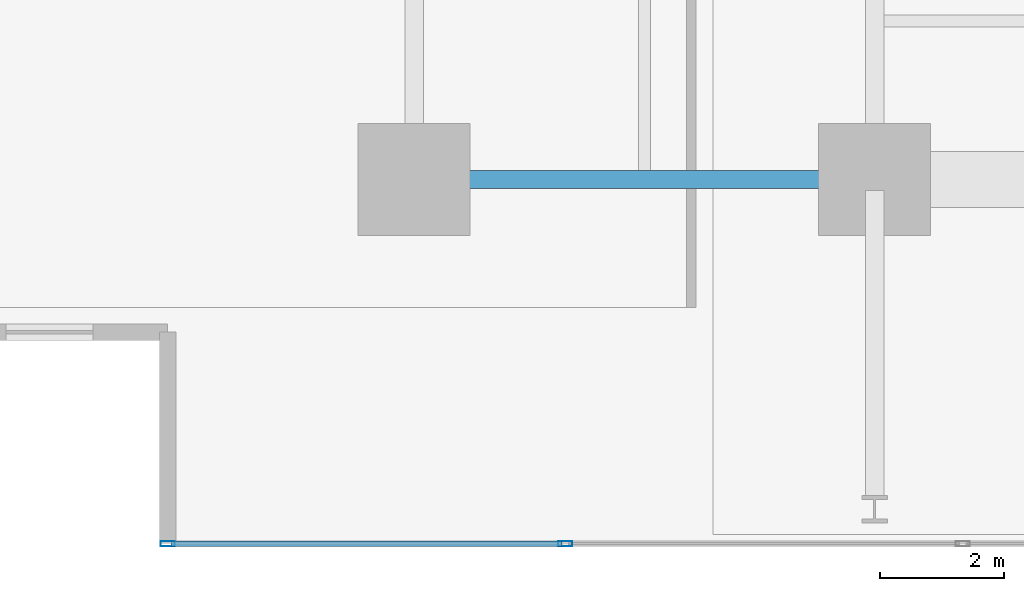
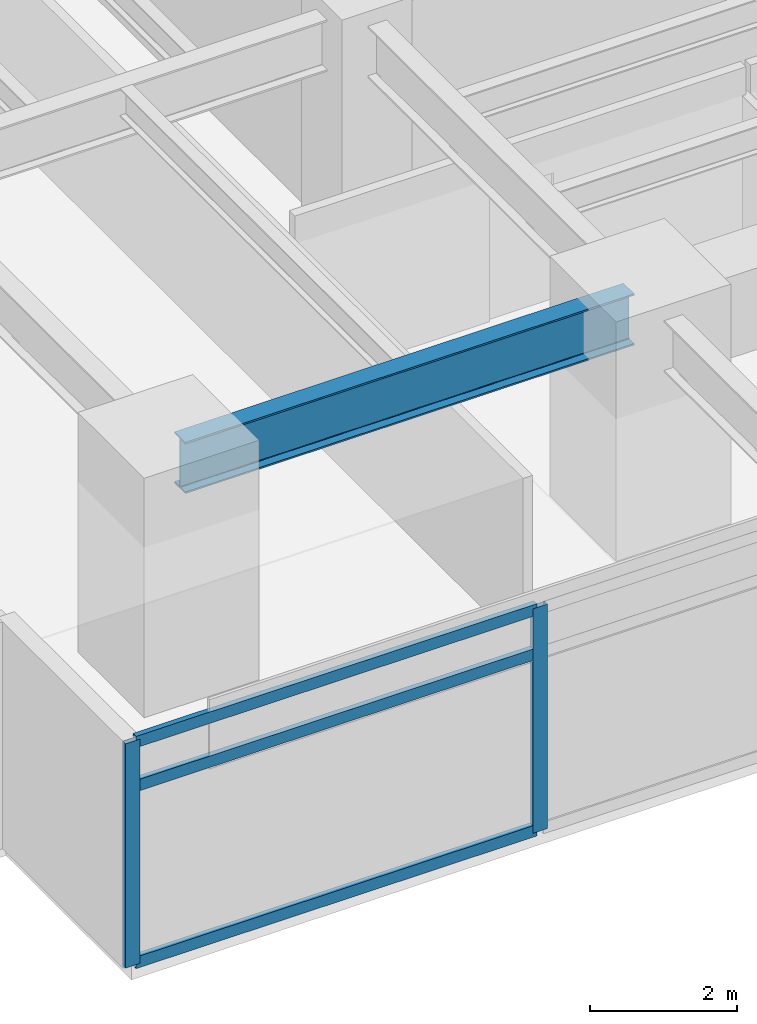
# One storey, part 2 of 20: 5 members, 1 beam, 1 element without a shape of its own.
"""IFC4 building model written with IfcOpenShell, lengths in metres."""

from ifc_helpers import new_model, si_unit, direction, frame, origin, origin_2d, place, context, subcontext, project, spatial, hollow_rectangle, i_section, extrude, material, material_profile, profile_set, type_object, element, aggregate, save


model = new_model("IFC4")

# Units and contexts
model_context = context("Model", 3, precision=1e-05, world=origin(), true_north=direction((0.0, 1.0)))
body_context = subcontext(model_context, "Body", "Model", "MODEL_VIEW")
ifc_project = project(units=[si_unit("LENGTHUNIT", "METRE"), si_unit("AREAUNIT", "SQUARE_METRE"), si_unit("VOLUMEUNIT", "CUBIC_METRE"), si_unit("PLANEANGLEUNIT", "RADIAN"), si_unit("MASSUNIT", "GRAM", prefix="KILO")], contexts=[model_context])

# Site, building, storey
site_placement = place(None, origin())
site = spatial("IfcSite", under=ifc_project, at=site_placement, CompositionType="ELEMENT")
building_placement = place(site_placement, origin())
building = spatial("IfcBuilding", under=site, at=building_placement, Name="Kovane Verandah Tower", CompositionType="ELEMENT")
storey_placement = place(building_placement, frame((0.0, 0.0, 75.60009765625)))
storey = spatial("IfcBuildingStorey", under=building, at=storey_placement, Name="L17", CompositionType="ELEMENT", Elevation=75.60009765625)

# Beam
ifc_material_1 = material(Name="Steel S355", Category="steel")
ifc_material_profile_1 = material_profile(ifc_material_1, i_section(OverallWidth=0.293701171875, OverallDepth=0.850830078125, WebThickness=0.01611328125, FlangeThickness=0.02685546875, FilletRadius=0.017822265625, at=origin_2d()), Name="UB838x292x226")
ifc_profile_set_1 = profile_set([ifc_material_profile_1], Name="Steel S355")
beam_type = type_object("IfcBeamType", Name="BM-UB838x226", PredefinedType="BEAM", material=ifc_profile_set_1)
beam_placement = place(storey_placement, frame((21.780029296875, 10.800048828125, 3.33447265625), z_axis=(1.0, 0.0, 0.0), x_axis=(0.0, 1.0, 0.0)))
element("IfcBeam", 1, at=beam_placement, inside=storey, type_object=beam_type, Name="L17 Primary Tower Girder G-RS1", PredefinedType="BEAM", context=body_context, shape_type="SweptSolid", body=[
    extrude(i_section(OverallWidth=0.293701171875, OverallDepth=0.850830078125, WebThickness=0.01611328125, FlangeThickness=0.02685546875, FilletRadius=0.017822265625, at=origin_2d()), origin(), (0.0, 0.0, 1.0), 7.0400390625),
])

# Curtain wall, members
ifc_material_2 = material(Name="Champagne Anodised Aluminium Frame with Low-E Clear Laminated Glass", Category="aluminium")
curtain_wall_type = type_object("IfcCurtainWallType", Name="CW-SYS-02-LOW", PredefinedType="NOTDEFINED", material=ifc_material_2)
curtain_wall_placement = place(storey_placement, origin())
curtain_wall = element("IfcCurtainWall", 2, at=curtain_wall_placement, inside=storey, type_object=curtain_wall_type, Name="L17 S Unitised Curtain Wall", PredefinedType="NOTDEFINED")
ifc_material_3 = material(Name="Champagne Anodised Aluminium 6063-T6", Category="aluminium")
ifc_material_profile_2 = material_profile(ifc_material_3, hollow_rectangle(XDim=0.0849609375, YDim=0.22998046875, WallThickness=0.00390625, at=origin_2d()), Name="AL85x230x4")
ifc_profile_set_2 = profile_set([ifc_material_profile_2], Name="Champagne Anodised Aluminium 6063-T6")
member_type_1 = type_object("IfcMemberType", Name="CW-MUL-85x230", PredefinedType="MULLION", material=ifc_profile_set_2)
member_1_placement = place(storey_placement, frame((17.6376953125, 4.9462890625, 0.02001953125), z_axis=(0.0, 0.0, 1.0), x_axis=(0.0, -1.0, 0.0)))
member_1 = element("IfcMember", 3, at=member_1_placement, type_object=member_type_1, Name="L17 S Unitised Curtain Wall Mullion 1", PredefinedType="MULLION", context=body_context, shape_type="SweptSolid", body=[
    extrude(hollow_rectangle(XDim=0.0849609375, YDim=0.22998046875, WallThickness=0.00390625, at=origin_2d()), origin(), (0.0, 0.0, 1.0), 3.719970703125),
])
member_2_placement = place(storey_placement, frame((24.02685546875, 4.9462890625, 0.02001953125), z_axis=(0.0, 0.0, 1.0), x_axis=(0.0, -1.0, 0.0)))
member_2 = element("IfcMember", 4, at=member_2_placement, type_object=member_type_1, Name="L17 S Unitised Curtain Wall Mullion 2", PredefinedType="MULLION", context=body_context, shape_type="SweptSolid", body=[
    extrude(hollow_rectangle(XDim=0.0849609375, YDim=0.22998046875, WallThickness=0.00390625, at=origin_2d()), origin(), (0.0, 0.0, 1.0), 3.719970703125),
])
ifc_material_profile_3 = material_profile(ifc_material_3, hollow_rectangle(XDim=0.0849609375, YDim=0.18994140625, WallThickness=0.00390625, at=origin_2d()), Name="AL85x190x4")
ifc_profile_set_3 = profile_set([ifc_material_profile_3], Name="Champagne Anodised Aluminium 6063-T6")
member_type_2 = type_object("IfcMemberType", Name="CW-TRN-85x190", PredefinedType="USERDEFINED", material=ifc_profile_set_3)
member_3_placement = place(storey_placement, frame((17.6875, 4.9462890625, 0.0498046875), z_axis=(1.0, 0.0, 0.0), x_axis=(0.0, 1.0, 0.0)))
member_3 = element("IfcMember", 5, at=member_3_placement, type_object=member_type_2, Name="L17 S Unitised Curtain Wall Transom TB Bay 1", ObjectType="TRANSOM", PredefinedType="USERDEFINED", context=body_context, shape_type="SweptSolid", body=[
    extrude(hollow_rectangle(XDim=0.0849609375, YDim=0.18994140625, WallThickness=0.00390625, at=origin_2d()), origin(), (0.0, 0.0, 1.0), 6.289306640625),
])
member_4_placement = place(storey_placement, frame((17.6875, 4.9462890625, 2.97998046875), z_axis=(1.0, 0.0, 0.0), x_axis=(0.0, 1.0, 0.0)))
member_4 = element("IfcMember", 6, at=member_4_placement, type_object=member_type_2, Name="L17 S Unitised Curtain Wall Transom TM Bay 1", ObjectType="TRANSOM", PredefinedType="USERDEFINED", context=body_context, shape_type="SweptSolid", body=[
    extrude(hollow_rectangle(XDim=0.0849609375, YDim=0.18994140625, WallThickness=0.00390625, at=origin_2d()), origin(), (0.0, 0.0, 1.0), 6.289306640625),
])
member_5_placement = place(storey_placement, frame((17.6875, 4.9462890625, 3.7099609375), z_axis=(1.0, 0.0, 0.0), x_axis=(0.0, 1.0, 0.0)))
member_5 = element("IfcMember", 7, at=member_5_placement, type_object=member_type_2, Name="L17 S Unitised Curtain Wall Transom TT Bay 1", ObjectType="TRANSOM", PredefinedType="USERDEFINED", context=body_context, shape_type="SweptSolid", body=[
    extrude(hollow_rectangle(XDim=0.0849609375, YDim=0.18994140625, WallThickness=0.00390625, at=origin_2d()), origin(), (0.0, 0.0, 1.0), 6.289306640625),
])
aggregate(curtain_wall, [member_1, member_2, member_3, member_4, member_5])

save(model, "model.ifc")
